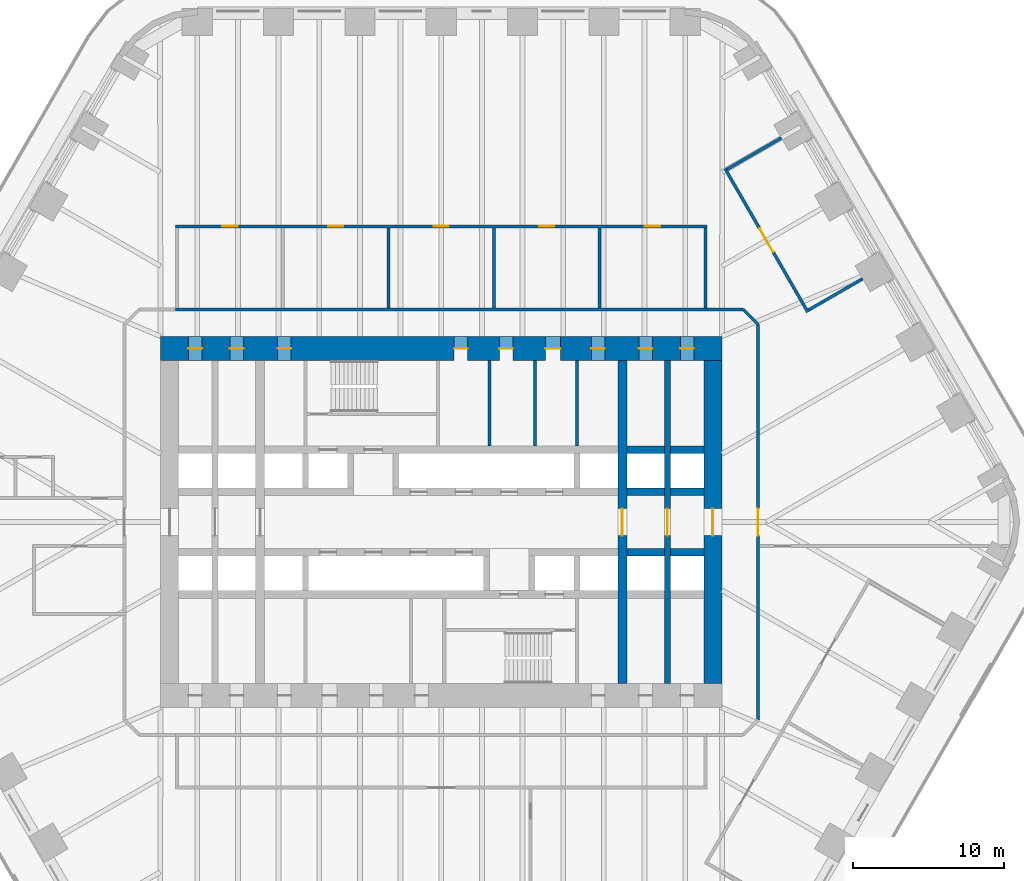
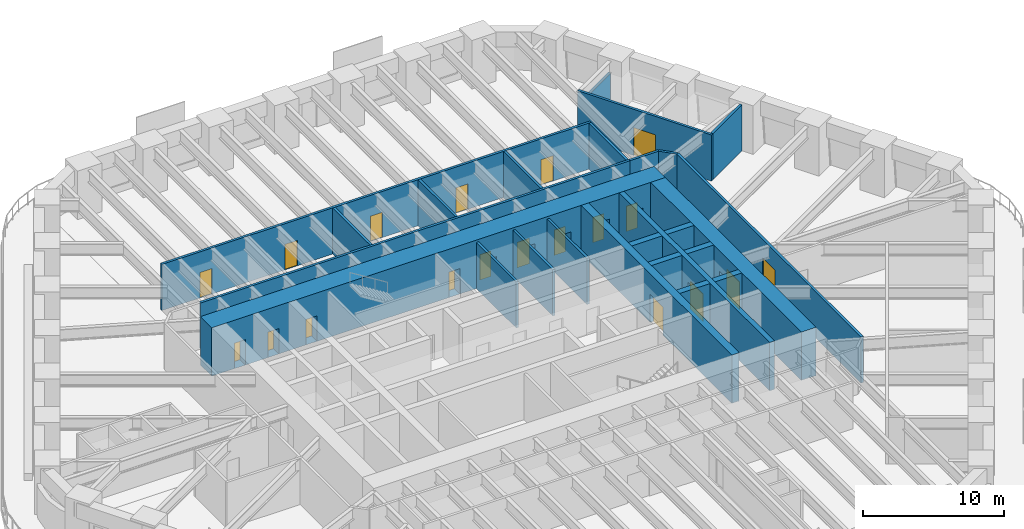
# One storey, part 19 of 23: 25 walls, 19 doors, 19 openings.
"""IFC4 building model written with IfcOpenShell, lengths in metres."""

from ifc_helpers import new_model, si_unit, direction, frame, frame_2d, origin, place, context, subcontext, project, spatial, rectangle, extrude, material, layer, layer_set, type_object, element, fill, save


model = new_model("IFC4")

# Units and contexts
model_context = context("Model", 3, precision=1e-05, world=origin(), true_north=direction((0.0, 1.0)))
body_context = subcontext(model_context, "Body", "Model", "MODEL_VIEW")
ifc_project = project(units=[si_unit("LENGTHUNIT", "METRE"), si_unit("AREAUNIT", "SQUARE_METRE"), si_unit("VOLUMEUNIT", "CUBIC_METRE"), si_unit("PLANEANGLEUNIT", "RADIAN"), si_unit("MASSUNIT", "GRAM", prefix="KILO")], contexts=[model_context])

# Site, building, storey
site_placement = place(None, origin())
site = spatial("IfcSite", under=ifc_project, at=site_placement, CompositionType="ELEMENT")
building_placement = place(site_placement, origin())
building = spatial("IfcBuilding", under=site, at=building_placement, Name="Tarfa Lantern Tower", CompositionType="ELEMENT")
storey_placement = place(building_placement, frame((0.0, 0.0, 61.300048828125)))
storey = spatial("IfcBuildingStorey", under=building, at=storey_placement, Name="L13", CompositionType="ELEMENT", Elevation=61.300048828125)

# Walls
ifc_material_1 = material(Name="Concrete blockwork", Category="masonry")
ifc_layer_1 = layer(ifc_material_1, 0.199951171875)
ifc_layer_set_1 = layer_set([ifc_layer_1], Name="IW1 BLOCKWORK PARTITION 200 EI 120")
wall_type_1 = type_object("IfcWallType", Name="IW1 BLOCKWORK PARTITION 200 EI 120", PredefinedType="PARTITIONING", material=ifc_layer_set_1)
for number, where, z_axis, x_axis, name in (
    (1, (9.0, 5.050048828125, 0.0), (0.0, 0.0, 1.0), (0.0, 1.0, 0.0), "Core partition"),
    (2, (3.199951171875, 5.050048828125, 0.0), (0.0, 0.0, 1.0), (0.0, 1.0, 0.0), "Core partition"),
    (3, (6.199951171875, 5.050048828125, 0.0), (0.0, 0.0, 1.0), (0.0, 1.0, 0.0), "Core partition"),
):
    element("IfcWall", number, at=place(storey_placement, frame(where, z_axis=z_axis, x_axis=x_axis)), inside=storey, type_object=wall_type_1, Name=name, PredefinedType="PARTITIONING", context=body_context, shape_type="SweptSolid", body=[
        extrude(rectangle(XDim=5.64990234375, YDim=0.199951171875, at=frame_2d((2.824951171875, 0.0))), origin(), (0.0, 0.0, 1.0), 4.0),
    ])
ifc_material_2 = material(Name="Gypsum board on steel studs", Category="steel")
ifc_layer_2 = layer(ifc_material_2, 0.2099609375)
ifc_layer_set_2 = layer_set([ifc_layer_2], Name="IW2 ACOUSTIC PARTITION 200")
wall_type_2 = type_object("IfcWallType", Name="IW2 ACOUSTIC PARTITION 200", PredefinedType="PARTITIONING", material=ifc_layer_set_2)
wall_1_placement = place(storey_placement, frame((-17.60009765625, 14.10009765625, 0.0), z_axis=(0.0, 0.0, 1.0), x_axis=(1.0, 0.0, 0.0)))
element("IfcWall", 4, at=wall_1_placement, inside=storey, type_object=wall_type_2, Name="Partition", PredefinedType="PARTITIONING", context=body_context, shape_type="SweptSolid", body=[
    extrude(rectangle(XDim=35.2001953125, YDim=0.199951171875, at=frame_2d((17.60009765625, 0.0))), origin(), (0.0, 0.0, 1.0), 4.0),
])

# Wall, openings, doors
wall_2_placement = place(storey_placement, frame((-17.60009765625, 19.60009765625, 0.0), z_axis=(0.0, 0.0, 1.0), x_axis=(1.0, 0.0, 0.0)))
wall_2 = element("IfcWall", 5, at=wall_2_placement, inside=storey, type_object=wall_type_2, Name="Partition", PredefinedType="PARTITIONING", context=body_context, shape_type="SweptSolid", body=[
    extrude(rectangle(XDim=35.2001953125, YDim=0.199951171875, at=frame_2d((17.60009765625, 0.0))), origin(), (0.0, 0.0, 1.0), 4.0),
])
opening_1_placement = place(wall_2_placement, frame((3.10009765625, 0.0, 0.0)))
opening_1 = element("IfcOpeningElement", 6, at=opening_1_placement, cuts=wall_2, Name="Opening D33", PredefinedType="OPENING", context=body_context, shape_type="SweptSolid", body=[
    extrude(rectangle(XDim=1.0, YDim=2.199951171875, at=frame_2d((0.5, 1.10009765625))), frame((0.0, 0.10986328125, 0.0), z_axis=(0.0, -1.0, 0.0), x_axis=(1.0, 0.0, 0.0)), (0.0, 0.0, 1.0), 0.219970703125),
])
opening_2_placement = place(wall_2_placement, frame((10.10009765625, 0.0, 0.0)))
opening_2 = element("IfcOpeningElement", 7, at=opening_2_placement, cuts=wall_2, Name="Opening D34", PredefinedType="OPENING", context=body_context, shape_type="SweptSolid", body=[
    extrude(rectangle(XDim=1.0, YDim=2.199951171875, at=frame_2d((0.5, 1.10009765625))), frame((0.0, 0.10986328125, 0.0), z_axis=(0.0, -1.0, 0.0), x_axis=(1.0, 0.0, 0.0)), (0.0, 0.0, 1.0), 0.219970703125),
])
opening_3_placement = place(wall_2_placement, frame((17.10009765625, 0.0, 0.0)))
opening_3 = element("IfcOpeningElement", 8, at=opening_3_placement, cuts=wall_2, Name="Opening D35", PredefinedType="OPENING", context=body_context, shape_type="SweptSolid", body=[
    extrude(rectangle(XDim=1.0, YDim=2.199951171875, at=frame_2d((0.5, 1.10009765625))), frame((0.0, 0.10986328125, 0.0), z_axis=(0.0, -1.0, 0.0), x_axis=(1.0, 0.0, 0.0)), (0.0, 0.0, 1.0), 0.219970703125),
])
opening_4_placement = place(wall_2_placement, frame((24.10009765625, 0.0, 0.0)))
opening_4 = element("IfcOpeningElement", 9, at=opening_4_placement, cuts=wall_2, Name="Opening D36", PredefinedType="OPENING", context=body_context, shape_type="SweptSolid", body=[
    extrude(rectangle(XDim=1.0, YDim=2.199951171875, at=frame_2d((0.5, 1.10009765625))), frame((0.0, 0.10986328125, 0.0), z_axis=(0.0, -1.0, 0.0), x_axis=(1.0, 0.0, 0.0)), (0.0, 0.0, 1.0), 0.219970703125),
])
opening_5_placement = place(wall_2_placement, frame((31.10009765625, 0.0, 0.0)))
opening_5 = element("IfcOpeningElement", 10, at=opening_5_placement, cuts=wall_2, Name="Opening D37", PredefinedType="OPENING", context=body_context, shape_type="SweptSolid", body=[
    extrude(rectangle(XDim=1.0, YDim=2.199951171875, at=frame_2d((0.5, 1.10009765625))), frame((0.0, 0.10986328125, 0.0), z_axis=(0.0, -1.0, 0.0), x_axis=(1.0, 0.0, 0.0)), (0.0, 0.0, 1.0), 0.219970703125),
])
ifc_material_3 = material(Name="Timber door", Category="wood")
door_type_1 = type_object("IfcDoorType", Name="DR1 ROOM DOOR 1000x2200", OperationType="SINGLE_SWING_LEFT", PredefinedType="DOOR", material=ifc_material_3)
door_1_placement = place(opening_1_placement, frame((1.0, 0.0, 0.0), z_axis=(0.0, 0.0, 1.0), x_axis=(-1.0, 0.0, 0.0)))
door_1 = element("IfcDoor", 11, at=door_1_placement, inside=storey, type_object=door_type_1, Name="Plan room door", OperationType="SINGLE_SWING_LEFT", OverallHeight=2.199951171875, OverallWidth=1.0, PredefinedType="DOOR", context=body_context, shape_type="SweptSolid", body=[
    extrude(rectangle(XDim=1.0, YDim=2.199951171875, at=frame_2d((0.5, 1.10009765625))), frame((0.0, 0.02490234375, 0.0), z_axis=(0.0, -1.0, 0.0), x_axis=(1.0, 0.0, 0.0)), (0.0, 0.0, 1.0), 0.050048828125),
])
fill(opening_1, door_1)
door_2_placement = place(opening_2_placement, frame((1.0, 0.0, 0.0), z_axis=(0.0, 0.0, 1.0), x_axis=(-1.0, 0.0, 0.0)))
door_2 = element("IfcDoor", 12, at=door_2_placement, inside=storey, type_object=door_type_1, Name="Model room door", OperationType="SINGLE_SWING_LEFT", OverallHeight=2.199951171875, OverallWidth=1.0, PredefinedType="DOOR", context=body_context, shape_type="SweptSolid", body=[
    extrude(rectangle(XDim=1.0, YDim=2.199951171875, at=frame_2d((0.5, 1.10009765625))), frame((0.0, 0.02490234375, 0.0), z_axis=(0.0, -1.0, 0.0), x_axis=(1.0, 0.0, 0.0)), (0.0, 0.0, 1.0), 0.050048828125),
])
fill(opening_2, door_2)
door_3_placement = place(opening_3_placement, frame((1.0, 0.0, 0.0), z_axis=(0.0, 0.0, 1.0), x_axis=(-1.0, 0.0, 0.0)))
door_3 = element("IfcDoor", 13, at=door_3_placement, inside=storey, type_object=door_type_1, Name="Specification room door", OperationType="SINGLE_SWING_LEFT", OverallHeight=2.199951171875, OverallWidth=1.0, PredefinedType="DOOR", context=body_context, shape_type="SweptSolid", body=[
    extrude(rectangle(XDim=1.0, YDim=2.199951171875, at=frame_2d((0.5, 1.10009765625))), frame((0.0, 0.02490234375, 0.0), z_axis=(0.0, -1.0, 0.0), x_axis=(1.0, 0.0, 0.0)), (0.0, 0.0, 1.0), 0.050048828125),
])
fill(opening_3, door_3)
door_4_placement = place(opening_4_placement, frame((1.0, 0.0, 0.0), z_axis=(0.0, 0.0, 1.0), x_axis=(-1.0, 0.0, 0.0)))
door_4 = element("IfcDoor", 14, at=door_4_placement, inside=storey, type_object=door_type_1, Name="Drawing review room door", OperationType="SINGLE_SWING_RIGHT", OverallHeight=2.199951171875, OverallWidth=1.0, PredefinedType="DOOR", context=body_context, shape_type="SweptSolid", body=[
    extrude(rectangle(XDim=1.0, YDim=2.199951171875, at=frame_2d((0.5, 1.10009765625))), frame((0.0, 0.02490234375, 0.0), z_axis=(0.0, -1.0, 0.0), x_axis=(1.0, 0.0, 0.0)), (0.0, 0.0, 1.0), 0.050048828125),
])
fill(opening_4, door_4)
door_5_placement = place(opening_5_placement, frame((1.0, 0.0, 0.0), z_axis=(0.0, 0.0, 1.0), x_axis=(-1.0, 0.0, 0.0)))
door_5 = element("IfcDoor", 15, at=door_5_placement, inside=storey, type_object=door_type_1, Name="Cost planning room door", OperationType="SINGLE_SWING_RIGHT", OverallHeight=2.199951171875, OverallWidth=1.0, PredefinedType="DOOR", context=body_context, shape_type="SweptSolid", body=[
    extrude(rectangle(XDim=1.0, YDim=2.199951171875, at=frame_2d((0.5, 1.10009765625))), frame((0.0, 0.02490234375, 0.0), z_axis=(0.0, -1.0, 0.0), x_axis=(1.0, 0.0, 0.0)), (0.0, 0.0, 1.0), 0.050048828125),
])
fill(opening_5, door_5)

# Walls
for number, where, z_axis, x_axis, name in (
    (16, (-3.5, 14.199951171875, 0.0), (0.0, 0.0, 1.0), (0.0, 1.0, 0.0), "Partition"),
    (17, (3.5, 14.199951171875, 0.0), (0.0, 0.0, 1.0), (0.0, 1.0, 0.0), "Partition"),
    (18, (10.5, 14.199951171875, 0.0), (0.0, 0.0, 1.0), (0.0, 1.0, 0.0), "Partition"),
    (19, (17.5, 14.199951171875, 0.0), (0.0, 0.0, 1.0), (0.0, 1.0, 0.0), "Partition"),
):
    element("IfcWall", number, at=place(storey_placement, frame(where, z_axis=z_axis, x_axis=x_axis)), inside=storey, type_object=wall_type_2, Name=name, PredefinedType="PARTITIONING", context=body_context, shape_type="SweptSolid", body=[
        extrude(rectangle(XDim=5.300048828125, YDim=0.199951171875, at=frame_2d((2.64990234375, 0.0))), origin(), (0.0, 0.0, 1.0), 4.0),
    ])

# Wall, opening, door
wall_3_placement = place(storey_placement, frame((24.298828125, 13.913330078125, 0.0), z_axis=(0.0, 0.0, 1.0), x_axis=(-0.500009305389, 0.866020031249, 0.0)))
wall_3 = element("IfcWall", 20, at=wall_3_placement, inside=storey, type_object=wall_type_2, Name="Partition", PredefinedType="PARTITIONING", context=body_context, shape_type="SweptSolid", body=[
    extrude(rectangle(XDim=10.977294921875, YDim=0.199951171875, at=frame_2d((5.48876953125, 0.0))), origin(), (0.0, 0.0, 1.0), 4.0),
])
opening_6_placement = place(wall_3_placement, frame((4.588623046875, 0.0, 0.0)))
opening_6 = element("IfcOpeningElement", 21, at=opening_6_placement, cuts=wall_3, Name="Opening D29", PredefinedType="OPENING", context=body_context, shape_type="SweptSolid", body=[
    extrude(rectangle(XDim=1.800048828125, YDim=2.39990234375, at=frame_2d((0.89990234375, 1.199951171875))), frame((0.0, 0.10986328125, 0.0), z_axis=(0.0, -1.0, 0.0), x_axis=(1.0, 0.0, 0.0)), (0.0, 0.0, 1.0), 0.219970703125),
])
door_type_2 = type_object("IfcDoorType", Name="DR2 ROOM DOOR 1800x2400", OperationType="DOUBLE_DOOR_SINGLE_SWING", PredefinedType="DOOR", material=ifc_material_3)
door_6_placement = place(opening_6_placement, frame((1.800048828125, 0.0, 0.0), z_axis=(0.0, 0.0, 1.0), x_axis=(-1.0, 0.0, 0.0)))
door_6 = element("IfcDoor", 22, at=door_6_placement, inside=storey, type_object=door_type_2, Name="Review room door", OperationType="DOUBLE_DOOR_SINGLE_SWING", OverallHeight=2.39990234375, OverallWidth=1.800048828125, PredefinedType="DOOR", context=body_context, shape_type="SweptSolid", body=[
    extrude(rectangle(XDim=1.800048828125, YDim=2.39990234375, at=frame_2d((0.89990234375, 1.199951171875))), frame((0.0, 0.02490234375, 0.0), z_axis=(0.0, -1.0, 0.0), x_axis=(1.0, 0.0, 0.0)), (0.0, 0.0, 1.0), 0.050048828125),
])
fill(opening_6, door_6)

# Walls
wall_4_placement = place(storey_placement, frame((24.335205078125, 14.050048828125, 0.0), z_axis=(0.0, 0.0, 1.0), x_axis=(0.86602981871, 0.499992353047, 0.0)))
element("IfcWall", 23, at=wall_4_placement, inside=storey, type_object=wall_type_2, Name="Partition", PredefinedType="PARTITIONING", context=body_context, shape_type="SweptSolid", body=[
    extrude(rectangle(XDim=4.14990234375, YDim=0.199951171875, at=frame_2d((2.074951171875, 0.0))), origin(), (0.0, 0.0, 1.0), 4.0),
])
wall_5_placement = place(storey_placement, frame((18.94677734375, 23.38330078125, 0.0), z_axis=(0.0, 0.0, 1.0), x_axis=(0.86602981871, 0.499992353047, 0.0)))
element("IfcWall", 24, at=wall_5_placement, inside=storey, type_object=wall_type_2, Name="Partition", PredefinedType="PARTITIONING", context=body_context, shape_type="SweptSolid", body=[
    extrude(rectangle(XDim=4.14990234375, YDim=0.199951171875, at=frame_2d((2.074951171875, 0.0))), origin(), (0.0, 0.0, 1.0), 2.991943359375),
])
wall_6_placement = place(storey_placement, frame((17.60009765625, 14.10009765625, 0.0), z_axis=(0.0, 0.0, 1.0), x_axis=(1.0, 0.0, 0.0)))
element("IfcWall", 25, at=wall_6_placement, inside=storey, type_object=wall_type_2, Name="Partition", PredefinedType="PARTITIONING", context=body_context, shape_type="SweptSolid", body=[
    extrude(rectangle(XDim=2.39990234375, YDim=0.199951171875, at=frame_2d((1.199951171875, 0.0))), origin(), (0.0, 0.0, 1.0), 4.0),
])
wall_7_placement = place(storey_placement, frame((20.0, 14.10009765625, 0.0), z_axis=(0.0, 0.0, 1.0), x_axis=(0.707106781187, -0.707106781187, 0.0)))
element("IfcWall", 26, at=wall_7_placement, inside=storey, type_object=wall_type_2, Name="Partition", PredefinedType="PARTITIONING", context=body_context, shape_type="SweptSolid", body=[
    extrude(rectangle(XDim=1.414306640625, YDim=0.199951171875, at=frame_2d((0.70703125, 0.0))), origin(), (0.0, 0.0, 1.0), 4.0),
])

# Wall, opening, door
wall_8_placement = place(storey_placement, frame((21.0, 13.10009765625, 0.0), z_axis=(0.0, 0.0, 1.0), x_axis=(0.0, -1.0, 0.0)))
wall_8 = element("IfcWall", 27, at=wall_8_placement, inside=storey, type_object=wall_type_2, Name="Partition", PredefinedType="PARTITIONING", context=body_context, shape_type="SweptSolid", body=[
    extrude(rectangle(XDim=26.2001953125, YDim=0.199951171875, at=frame_2d((13.10009765625, 0.0))), origin(), (0.0, 0.0, 1.0), 4.0),
])
opening_7_placement = place(wall_8_placement, frame((12.199951171875, 0.0, 0.0)))
opening_7 = element("IfcOpeningElement", 28, at=opening_7_placement, cuts=wall_8, Name="Opening D44", PredefinedType="OPENING", context=body_context, shape_type="SweptSolid", body=[
    extrude(rectangle(XDim=1.800048828125, YDim=2.39990234375, at=frame_2d((0.89990234375, 1.199951171875))), frame((0.0, 0.10986328125, 0.0), z_axis=(0.0, -1.0, 0.0), x_axis=(1.0, 0.0, 0.0)), (0.0, 0.0, 1.0), 0.219970703125),
])
door_7_placement = place(opening_7_placement, origin())
door_7 = element("IfcDoor", 29, at=door_7_placement, inside=storey, type_object=door_type_2, Name="Corridor door", OperationType="DOUBLE_DOOR_SINGLE_SWING", OverallHeight=2.39990234375, OverallWidth=1.800048828125, PredefinedType="DOOR", context=body_context, shape_type="SweptSolid", body=[
    extrude(rectangle(XDim=1.800048828125, YDim=2.39990234375, at=frame_2d((0.89990234375, 1.199951171875))), frame((0.0, 0.02490234375, 0.0), z_axis=(0.0, -1.0, 0.0), x_axis=(1.0, 0.0, 0.0)), (0.0, 0.0, 1.0), 0.050048828125),
])
fill(opening_7, door_7)

ifc_material_4 = material(Name="Concrete C80/95", Category="concrete")
ifc_layer_3 = layer(ifc_material_4, 1.199951171875)
ifc_layer_set_3 = layer_set([ifc_layer_3], Name="SW1 CORE WALL 1200")
wall_type_3 = type_object("IfcWallType", Name="SW1 CORE WALL 1200", PredefinedType="SHEAR", material=ifc_layer_set_3)
wall_9_placement = place(storey_placement, frame((18.0, -10.699951171875, 0.0), z_axis=(0.0, 0.0, 1.0), x_axis=(0.0, 1.0, 0.0)))
wall_9 = element("IfcWall", 30, at=wall_9_placement, inside=storey, type_object=wall_type_3, Name="Core wall E", PredefinedType="SHEAR", context=body_context, shape_type="SweptSolid", body=[
    extrude(rectangle(XDim=21.39990234375, YDim=1.199951171875, at=frame_2d((10.699951171875, 0.0))), origin(), (0.0, 0.0, 1.0), 4.199951171875),
])
opening_8_placement = place(wall_9_placement, frame((9.800048828125, 0.0, 0.0)))
opening_8 = element("IfcOpeningElement", 31, at=opening_8_placement, cuts=wall_9, Name="Opening D15", PredefinedType="OPENING", context=body_context, shape_type="SweptSolid", body=[
    extrude(rectangle(XDim=1.800048828125, YDim=2.39990234375, at=frame_2d((0.89990234375, 1.199951171875))), frame((0.0, 0.60986328125, 0.0), z_axis=(0.0, -1.0, 0.0), x_axis=(1.0, 0.0, 0.0)), (0.0, 0.0, 1.0), 1.219970703125),
])
ifc_material_5 = material(Name="Steel fire door", Category="steel")
door_type_3 = type_object("IfcDoorType", Name="DL1 LOBBY DOOR 1800x2400", OperationType="DOUBLE_DOOR_SINGLE_SWING", PredefinedType="DOOR", material=ifc_material_5)
door_8_placement = place(opening_8_placement, frame((1.800048828125, 0.0, 0.0), z_axis=(0.0, 0.0, 1.0), x_axis=(-1.0, 0.0, 0.0)))
door_8 = element("IfcDoor", 32, at=door_8_placement, inside=storey, type_object=door_type_3, Name="Lift lobby door", OperationType="DOUBLE_DOOR_SINGLE_SWING", OverallHeight=2.39990234375, OverallWidth=1.800048828125, PredefinedType="DOOR", context=body_context, shape_type="SweptSolid", body=[
    extrude(rectangle(XDim=1.800048828125, YDim=2.39990234375, at=frame_2d((0.89990234375, 1.199951171875))), frame((0.0, 0.02490234375, 0.0), z_axis=(0.0, -1.0, 0.0), x_axis=(1.0, 0.0, 0.0)), (0.0, 0.0, 1.0), 0.050048828125),
])
fill(opening_8, door_8)

# Walls
ifc_layer_4 = layer(ifc_material_4, 0.5)
ifc_layer_set_4 = layer_set([ifc_layer_4], Name="SW5 CORE WALL 500")
wall_type_4 = type_object("IfcWallType", Name="SW5 CORE WALL 500", PredefinedType="SHEAR", material=ifc_layer_set_4)
wall_10_placement = place(storey_placement, frame((12.300048828125, 2.0, 0.0), z_axis=(0.0, 0.0, 1.0), x_axis=(1.0, 0.0, 0.0)))
element("IfcWall", 33, at=wall_10_placement, inside=storey, type_object=wall_type_4, Name="Core wall lobby east N", PredefinedType="SHEAR", context=body_context, shape_type="SweptSolid", body=[
    extrude(rectangle(XDim=2.5, YDim=0.5, at=frame_2d((1.25, 0.0))), origin(), (0.0, 0.0, 1.0), 4.199951171875),
])
wall_11_placement = place(storey_placement, frame((15.199951171875, 2.0, 0.0), z_axis=(0.0, 0.0, 1.0), x_axis=(1.0, 0.0, 0.0)))
element("IfcWall", 34, at=wall_11_placement, inside=storey, type_object=wall_type_4, Name="Core wall lobby east N", PredefinedType="SHEAR", context=body_context, shape_type="SweptSolid", body=[
    extrude(rectangle(XDim=2.199951171875, YDim=0.5, at=frame_2d((1.10009765625, 0.0))), origin(), (0.0, 0.0, 1.0), 4.199951171875),
])
wall_12_placement = place(storey_placement, frame((12.300048828125, 4.800048828125, 0.0), z_axis=(0.0, 0.0, 1.0), x_axis=(1.0, 0.0, 0.0)))
element("IfcWall", 35, at=wall_12_placement, inside=storey, type_object=wall_type_4, Name="Core wall rear N", PredefinedType="SHEAR", context=body_context, shape_type="SweptSolid", body=[
    extrude(rectangle(XDim=2.5, YDim=0.5, at=frame_2d((1.25, 0.0))), origin(), (0.0, 0.0, 1.0), 4.199951171875),
])
for number, where, z_axis, x_axis, name in (
    (36, (15.199951171875, 4.800048828125, 0.0), (0.0, 0.0, 1.0), (1.0, 0.0, 0.0), "Core wall rear N"),
    (37, (17.39990234375, -2.0, 0.0), (0.0, 0.0, 1.0), (-1.0, 0.0, 0.0), "Core wall lobby west S"),
):
    element("IfcWall", number, at=place(storey_placement, frame(where, z_axis=z_axis, x_axis=x_axis)), inside=storey, type_object=wall_type_4, Name=name, PredefinedType="SHEAR", context=body_context, shape_type="SweptSolid", body=[
        extrude(rectangle(XDim=2.199951171875, YDim=0.5, at=frame_2d((1.10009765625, 0.0))), origin(), (0.0, 0.0, 1.0), 4.199951171875),
    ])
wall_13_placement = place(storey_placement, frame((14.800048828125, -2.0, 0.0), z_axis=(0.0, 0.0, 1.0), x_axis=(-1.0, 0.0, 0.0)))
element("IfcWall", 38, at=wall_13_placement, inside=storey, type_object=wall_type_4, Name="Core wall lobby west S", PredefinedType="SHEAR", context=body_context, shape_type="SweptSolid", body=[
    extrude(rectangle(XDim=2.5, YDim=0.5, at=frame_2d((1.25, 0.0))), origin(), (0.0, 0.0, 1.0), 4.199951171875),
])

# Wall, opening, door
ifc_layer_5 = layer(ifc_material_4, 0.39990234375)
ifc_layer_set_5 = layer_set([ifc_layer_5], Name="SW6 CORE WALL 400")
wall_type_5 = type_object("IfcWallType", Name="SW6 CORE WALL 400", PredefinedType="SHEAR", material=ifc_layer_set_5)
wall_14_placement = place(storey_placement, frame((15.0, -10.699951171875, 0.0), z_axis=(0.0, 0.0, 1.0), x_axis=(0.0, 1.0, 0.0)))
wall_14 = element("IfcWall", 39, at=wall_14_placement, inside=storey, type_object=wall_type_5, Name="Core wall cross 15 m east", PredefinedType="SHEAR", context=body_context, shape_type="SweptSolid", body=[
    extrude(rectangle(XDim=21.39990234375, YDim=0.39990234375, at=frame_2d((10.699951171875, 0.0))), origin(), (0.0, 0.0, 1.0), 4.199951171875),
])
opening_9_placement = place(wall_14_placement, frame((9.800048828125, 0.0, 0.0)))
opening_9 = element("IfcOpeningElement", 40, at=opening_9_placement, cuts=wall_14, Name="Opening D26", PredefinedType="OPENING", context=body_context, shape_type="SweptSolid", body=[
    extrude(rectangle(XDim=1.800048828125, YDim=2.39990234375, at=frame_2d((0.89990234375, 1.199951171875))), frame((0.0, 0.2099609375, 0.0), z_axis=(0.0, -1.0, 0.0), x_axis=(1.0, 0.0, 0.0)), (0.0, 0.0, 1.0), 0.419921875),
])
door_9_placement = place(opening_9_placement, origin())
door_9 = element("IfcDoor", 41, at=door_9_placement, inside=storey, type_object=door_type_3, Name="Lift lobby door", OperationType="DOUBLE_DOOR_SINGLE_SWING", OverallHeight=2.39990234375, OverallWidth=1.800048828125, PredefinedType="DOOR", context=body_context, shape_type="SweptSolid", body=[
    extrude(rectangle(XDim=1.800048828125, YDim=2.39990234375, at=frame_2d((0.89990234375, 1.199951171875))), frame((0.0, 0.02490234375, 0.0), z_axis=(0.0, -1.0, 0.0), x_axis=(1.0, 0.0, 0.0)), (0.0, 0.0, 1.0), 0.050048828125),
])
fill(opening_9, door_9)

# Wall, openings, doors
ifc_layer_6 = layer(ifc_material_4, 1.60009765625)
ifc_layer_set_6 = layer_set([ifc_layer_6], Name="SW7 CORE WALL 1600")
wall_type_6 = type_object("IfcWallType", Name="SW7 CORE WALL 1600", PredefinedType="SHEAR", material=ifc_layer_set_6)
wall_15_placement = place(storey_placement, frame((-18.60009765625, 11.5, 0.0), z_axis=(0.0, 0.0, 1.0), x_axis=(1.0, 0.0, 0.0)))
wall_15 = element("IfcWall", 42, at=wall_15_placement, inside=storey, type_object=wall_type_6, Name="Core wall N", PredefinedType="SHEAR", context=body_context, shape_type="SweptSolid", body=[
    extrude(rectangle(XDim=37.2001953125, YDim=1.60009765625, at=frame_2d((18.60009765625, 0.0))), origin(), (0.0, 0.0, 1.0), 4.199951171875),
])
opening_10_placement = place(wall_15_placement, frame((19.449951171875, 0.0, 0.0)))
opening_10 = element("IfcOpeningElement", 43, at=opening_10_placement, cuts=wall_15, Name="Opening D17", PredefinedType="OPENING", context=body_context, shape_type="SweptSolid", body=[
    extrude(rectangle(XDim=0.89990234375, YDim=2.199951171875, at=frame_2d((0.449951171875, 1.10009765625))), frame((0.0, 0.81005859375, 0.0), z_axis=(0.0, -1.0, 0.0), x_axis=(1.0, 0.0, 0.0)), (0.0, 0.0, 1.0), 1.6201171875),
])
opening_11_placement = place(wall_15_placement, frame((22.449951171875, 0.0, 0.0)))
opening_11 = element("IfcOpeningElement", 44, at=opening_11_placement, cuts=wall_15, Name="Opening D19", PredefinedType="OPENING", context=body_context, shape_type="SweptSolid", body=[
    extrude(rectangle(XDim=0.89990234375, YDim=2.199951171875, at=frame_2d((0.449951171875, 1.10009765625))), frame((0.0, 0.81005859375, 0.0), z_axis=(0.0, -1.0, 0.0), x_axis=(1.0, 0.0, 0.0)), (0.0, 0.0, 1.0), 1.6201171875),
])
opening_12_placement = place(wall_15_placement, frame((25.5, 0.0, 0.0)))
opening_12 = element("IfcOpeningElement", 45, at=opening_12_placement, cuts=wall_15, Name="Opening D21", PredefinedType="OPENING", context=body_context, shape_type="SweptSolid", body=[
    extrude(rectangle(XDim=1.0, YDim=2.199951171875, at=frame_2d((0.5, 1.10009765625))), frame((0.0, 0.81005859375, 0.0), z_axis=(0.0, -1.0, 0.0), x_axis=(1.0, 0.0, 0.0)), (0.0, 0.0, 1.0), 1.6201171875),
])
opening_13_placement = place(wall_15_placement, frame((1.85009765625, 0.0, 0.0)))
opening_13 = element("IfcOpeningElement", 46, at=opening_13_placement, cuts=wall_15, Name="Opening D11", PredefinedType="OPENING", context=body_context, shape_type="SweptSolid", body=[
    extrude(rectangle(XDim=0.89990234375, YDim=2.199951171875, at=frame_2d((0.449951171875, 1.10009765625))), frame((0.0, 0.81005859375, 0.0), z_axis=(0.0, -1.0, 0.0), x_axis=(1.0, 0.0, 0.0)), (0.0, 0.0, 1.0), 1.6201171875),
])
opening_14_placement = place(wall_15_placement, frame((4.60009765625, 0.0, 0.0)))
opening_14 = element("IfcOpeningElement", 47, at=opening_14_placement, cuts=wall_15, Name="Opening D07", PredefinedType="OPENING", context=body_context, shape_type="SweptSolid", body=[
    extrude(rectangle(XDim=0.89990234375, YDim=2.199951171875, at=frame_2d((0.449951171875, 1.10009765625))), frame((0.0, 0.81005859375, 0.0), z_axis=(0.0, -1.0, 0.0), x_axis=(1.0, 0.0, 0.0)), (0.0, 0.0, 1.0), 1.6201171875),
])
opening_15_placement = place(wall_15_placement, frame((7.75, 0.0, 0.0)))
opening_15 = element("IfcOpeningElement", 48, at=opening_15_placement, cuts=wall_15, Name="Opening D09", PredefinedType="OPENING", context=body_context, shape_type="SweptSolid", body=[
    extrude(rectangle(XDim=0.89990234375, YDim=2.199951171875, at=frame_2d((0.449951171875, 1.10009765625))), frame((0.0, 0.81005859375, 0.0), z_axis=(0.0, -1.0, 0.0), x_axis=(1.0, 0.0, 0.0)), (0.0, 0.0, 1.0), 1.6201171875),
])
opening_16_placement = place(wall_15_placement, frame((28.550048828125, 0.0, 0.0)))
opening_16 = element("IfcOpeningElement", 49, at=opening_16_placement, cuts=wall_15, Name="Opening D05", PredefinedType="OPENING", context=body_context, shape_type="SweptSolid", body=[
    extrude(rectangle(XDim=0.89990234375, YDim=2.199951171875, at=frame_2d((0.449951171875, 1.10009765625))), frame((0.0, 0.81005859375, 0.0), z_axis=(0.0, -1.0, 0.0), x_axis=(1.0, 0.0, 0.0)), (0.0, 0.0, 1.0), 1.6201171875),
])
opening_17_placement = place(wall_15_placement, frame((31.699951171875, 0.0, 0.0)))
opening_17 = element("IfcOpeningElement", 50, at=opening_17_placement, cuts=wall_15, Name="Opening D01", PredefinedType="OPENING", context=body_context, shape_type="SweptSolid", body=[
    extrude(rectangle(XDim=0.89990234375, YDim=2.199951171875, at=frame_2d((0.449951171875, 1.10009765625))), frame((0.0, 0.81005859375, 0.0), z_axis=(0.0, -1.0, 0.0), x_axis=(1.0, 0.0, 0.0)), (0.0, 0.0, 1.0), 1.6201171875),
])
opening_18_placement = place(wall_15_placement, frame((34.449951171875, 0.0, 0.0)))
opening_18 = element("IfcOpeningElement", 51, at=opening_18_placement, cuts=wall_15, Name="Opening D03", PredefinedType="OPENING", context=body_context, shape_type="SweptSolid", body=[
    extrude(rectangle(XDim=0.89990234375, YDim=2.199951171875, at=frame_2d((0.449951171875, 1.10009765625))), frame((0.0, 0.81005859375, 0.0), z_axis=(0.0, -1.0, 0.0), x_axis=(1.0, 0.0, 0.0)), (0.0, 0.0, 1.0), 1.6201171875),
])
door_type_4 = type_object("IfcDoorType", Name="DF3 CORE ROOM DOOR 900x2200", OperationType="SINGLE_SWING_LEFT", PredefinedType="DOOR", material=ifc_material_5)
door_10_placement = place(opening_10_placement, frame((0.89990234375, 0.0, 0.0), z_axis=(0.0, 0.0, 1.0), x_axis=(-1.0, 0.0, 0.0)))
door_10 = element("IfcDoor", 52, at=door_10_placement, inside=storey, type_object=door_type_4, Name="Core door", OperationType="SINGLE_SWING_LEFT", OverallHeight=2.199951171875, OverallWidth=0.89990234375, PredefinedType="DOOR", context=body_context, shape_type="SweptSolid", body=[
    extrude(rectangle(XDim=0.89990234375, YDim=2.199951171875, at=frame_2d((0.449951171875, 1.10009765625))), frame((0.0, 0.02490234375, 0.0), z_axis=(0.0, -1.0, 0.0), x_axis=(1.0, 0.0, 0.0)), (0.0, 0.0, 1.0), 0.050048828125),
])
fill(opening_10, door_10)
door_11_placement = place(opening_11_placement, frame((0.89990234375, 0.0, 0.0), z_axis=(0.0, 0.0, 1.0), x_axis=(-1.0, 0.0, 0.0)))
door_11 = element("IfcDoor", 53, at=door_11_placement, inside=storey, type_object=door_type_4, Name="Core door", OperationType="SINGLE_SWING_LEFT", OverallHeight=2.199951171875, OverallWidth=0.89990234375, PredefinedType="DOOR", context=body_context, shape_type="SweptSolid", body=[
    extrude(rectangle(XDim=0.89990234375, YDim=2.199951171875, at=frame_2d((0.449951171875, 1.10009765625))), frame((0.0, 0.02490234375, 0.0), z_axis=(0.0, -1.0, 0.0), x_axis=(1.0, 0.0, 0.0)), (0.0, 0.0, 1.0), 0.050048828125),
])
fill(opening_11, door_11)
door_type_5 = type_object("IfcDoorType", Name="DF4 CORE ROOM DOOR 1000x2200", OperationType="SINGLE_SWING_LEFT", PredefinedType="DOOR", material=ifc_material_5)
door_12_placement = place(opening_12_placement, frame((1.0, 0.0, 0.0), z_axis=(0.0, 0.0, 1.0), x_axis=(-1.0, 0.0, 0.0)))
door_12 = element("IfcDoor", 54, at=door_12_placement, inside=storey, type_object=door_type_5, Name="Core door", OperationType="SINGLE_SWING_LEFT", OverallHeight=2.199951171875, OverallWidth=1.0, PredefinedType="DOOR", context=body_context, shape_type="SweptSolid", body=[
    extrude(rectangle(XDim=1.0, YDim=2.199951171875, at=frame_2d((0.5, 1.10009765625))), frame((0.0, 0.02490234375, 0.0), z_axis=(0.0, -1.0, 0.0), x_axis=(1.0, 0.0, 0.0)), (0.0, 0.0, 1.0), 0.050048828125),
])
fill(opening_12, door_12)
door_type_6 = type_object("IfcDoorType", Name="DF5 RISER DOOR 900x2200", OperationType="SINGLE_SWING_LEFT", PredefinedType="DOOR", material=ifc_material_5)
door_13_placement = place(opening_13_placement, frame((0.89990234375, 0.0, 0.0), z_axis=(0.0, 0.0, 1.0), x_axis=(-1.0, 0.0, 0.0)))
door_13 = element("IfcDoor", 55, at=door_13_placement, inside=storey, type_object=door_type_6, Name="Riser door", OperationType="SINGLE_SWING_LEFT", OverallHeight=2.199951171875, OverallWidth=0.89990234375, PredefinedType="DOOR", context=body_context, shape_type="SweptSolid", body=[
    extrude(rectangle(XDim=0.89990234375, YDim=2.199951171875, at=frame_2d((0.449951171875, 1.10009765625))), frame((0.0, 0.02490234375, 0.0), z_axis=(0.0, -1.0, 0.0), x_axis=(1.0, 0.0, 0.0)), (0.0, 0.0, 1.0), 0.050048828125),
])
fill(opening_13, door_13)
door_14_placement = place(opening_14_placement, frame((0.89990234375, 0.0, 0.0), z_axis=(0.0, 0.0, 1.0), x_axis=(-1.0, 0.0, 0.0)))
door_14 = element("IfcDoor", 56, at=door_14_placement, inside=storey, type_object=door_type_6, Name="Riser door", OperationType="SINGLE_SWING_LEFT", OverallHeight=2.199951171875, OverallWidth=0.89990234375, PredefinedType="DOOR", context=body_context, shape_type="SweptSolid", body=[
    extrude(rectangle(XDim=0.89990234375, YDim=2.199951171875, at=frame_2d((0.449951171875, 1.10009765625))), frame((0.0, 0.02490234375, 0.0), z_axis=(0.0, -1.0, 0.0), x_axis=(1.0, 0.0, 0.0)), (0.0, 0.0, 1.0), 0.050048828125),
])
fill(opening_14, door_14)
door_15_placement = place(opening_15_placement, frame((0.89990234375, 0.0, 0.0), z_axis=(0.0, 0.0, 1.0), x_axis=(-1.0, 0.0, 0.0)))
door_15 = element("IfcDoor", 57, at=door_15_placement, inside=storey, type_object=door_type_6, Name="Riser door", OperationType="SINGLE_SWING_LEFT", OverallHeight=2.199951171875, OverallWidth=0.89990234375, PredefinedType="DOOR", context=body_context, shape_type="SweptSolid", body=[
    extrude(rectangle(XDim=0.89990234375, YDim=2.199951171875, at=frame_2d((0.449951171875, 1.10009765625))), frame((0.0, 0.02490234375, 0.0), z_axis=(0.0, -1.0, 0.0), x_axis=(1.0, 0.0, 0.0)), (0.0, 0.0, 1.0), 0.050048828125),
])
fill(opening_15, door_15)
door_16_placement = place(opening_16_placement, frame((0.89990234375, 0.0, 0.0), z_axis=(0.0, 0.0, 1.0), x_axis=(-1.0, 0.0, 0.0)))
door_16 = element("IfcDoor", 58, at=door_16_placement, inside=storey, type_object=door_type_6, Name="Riser door", OperationType="SINGLE_SWING_RIGHT", OverallHeight=2.199951171875, OverallWidth=0.89990234375, PredefinedType="DOOR", context=body_context, shape_type="SweptSolid", body=[
    extrude(rectangle(XDim=0.89990234375, YDim=2.199951171875, at=frame_2d((0.449951171875, 1.10009765625))), frame((0.0, 0.02490234375, 0.0), z_axis=(0.0, -1.0, 0.0), x_axis=(1.0, 0.0, 0.0)), (0.0, 0.0, 1.0), 0.050048828125),
])
fill(opening_16, door_16)
door_17_placement = place(opening_17_placement, frame((0.89990234375, 0.0, 0.0), z_axis=(0.0, 0.0, 1.0), x_axis=(-1.0, 0.0, 0.0)))
door_17 = element("IfcDoor", 59, at=door_17_placement, inside=storey, type_object=door_type_6, Name="Riser door", OperationType="SINGLE_SWING_RIGHT", OverallHeight=2.199951171875, OverallWidth=0.89990234375, PredefinedType="DOOR", context=body_context, shape_type="SweptSolid", body=[
    extrude(rectangle(XDim=0.89990234375, YDim=2.199951171875, at=frame_2d((0.449951171875, 1.10009765625))), frame((0.0, 0.02490234375, 0.0), z_axis=(0.0, -1.0, 0.0), x_axis=(1.0, 0.0, 0.0)), (0.0, 0.0, 1.0), 0.050048828125),
])
fill(opening_17, door_17)
door_18_placement = place(opening_18_placement, frame((0.89990234375, 0.0, 0.0), z_axis=(0.0, 0.0, 1.0), x_axis=(-1.0, 0.0, 0.0)))
door_18 = element("IfcDoor", 60, at=door_18_placement, inside=storey, type_object=door_type_6, Name="Riser door", OperationType="SINGLE_SWING_RIGHT", OverallHeight=2.199951171875, OverallWidth=0.89990234375, PredefinedType="DOOR", context=body_context, shape_type="SweptSolid", body=[
    extrude(rectangle(XDim=0.89990234375, YDim=2.199951171875, at=frame_2d((0.449951171875, 1.10009765625))), frame((0.0, 0.02490234375, 0.0), z_axis=(0.0, -1.0, 0.0), x_axis=(1.0, 0.0, 0.0)), (0.0, 0.0, 1.0), 0.050048828125),
])
fill(opening_18, door_18)

# Wall, opening, door
ifc_layer_7 = layer(ifc_material_4, 0.60009765625)
ifc_layer_set_7 = layer_set([ifc_layer_7], Name="SW9 CORE WALL 600")
wall_type_7 = type_object("IfcWallType", Name="SW9 CORE WALL 600", PredefinedType="SHEAR", material=ifc_layer_set_7)
wall_16_placement = place(storey_placement, frame((12.0, -10.699951171875, 0.0), z_axis=(0.0, 0.0, 1.0), x_axis=(0.0, 1.0, 0.0)))
wall_16 = element("IfcWall", 61, at=wall_16_placement, inside=storey, type_object=wall_type_7, Name="Core wall cross 12 m east", PredefinedType="SHEAR", context=body_context, shape_type="SweptSolid", body=[
    extrude(rectangle(XDim=21.39990234375, YDim=0.60009765625, at=frame_2d((10.699951171875, 0.0))), origin(), (0.0, 0.0, 1.0), 4.199951171875),
])
opening_19_placement = place(wall_16_placement, frame((9.800048828125, 0.0, 0.0)))
opening_19 = element("IfcOpeningElement", 62, at=opening_19_placement, cuts=wall_16, Name="Opening D25", PredefinedType="OPENING", context=body_context, shape_type="SweptSolid", body=[
    extrude(rectangle(XDim=1.800048828125, YDim=2.39990234375, at=frame_2d((0.89990234375, 1.199951171875))), frame((0.0, 0.31005859375, 0.0), z_axis=(0.0, -1.0, 0.0), x_axis=(1.0, 0.0, 0.0)), (0.0, 0.0, 1.0), 0.6201171875),
])
door_19_placement = place(opening_19_placement, origin())
door_19 = element("IfcDoor", 63, at=door_19_placement, inside=storey, type_object=door_type_3, Name="Lift lobby door", OperationType="DOUBLE_DOOR_SINGLE_SWING", OverallHeight=2.39990234375, OverallWidth=1.800048828125, PredefinedType="DOOR", context=body_context, shape_type="SweptSolid", body=[
    extrude(rectangle(XDim=1.800048828125, YDim=2.39990234375, at=frame_2d((0.89990234375, 1.199951171875))), frame((0.0, 0.02490234375, 0.0), z_axis=(0.0, -1.0, 0.0), x_axis=(1.0, 0.0, 0.0)), (0.0, 0.0, 1.0), 0.050048828125),
])
fill(opening_19, door_19)

save(model, "model.ifc")
